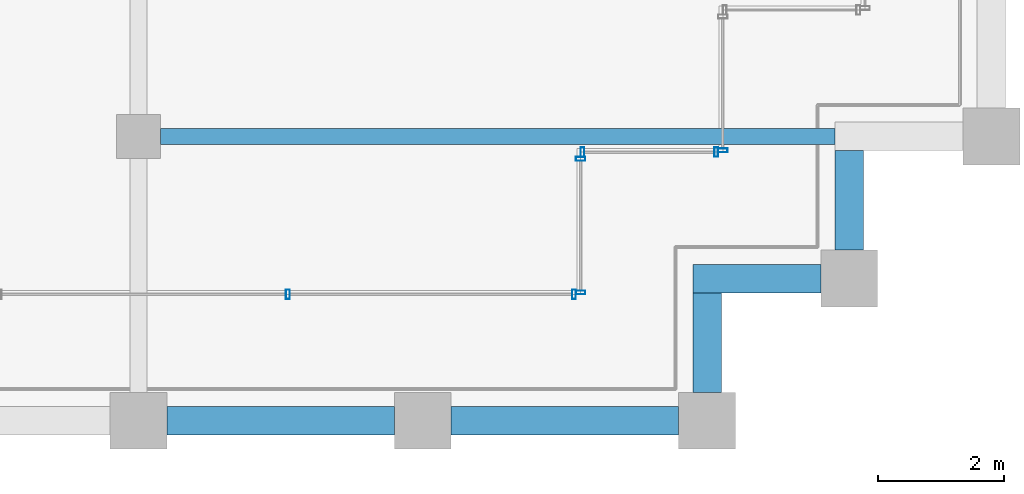
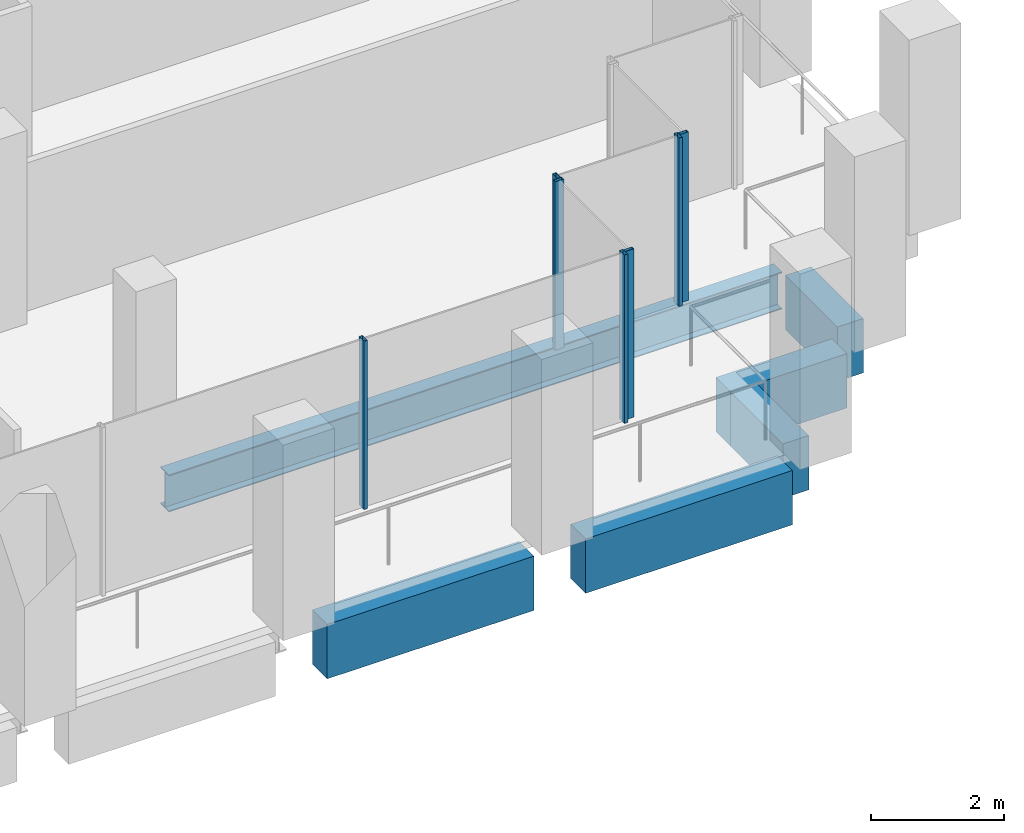
# One storey, part 12 of 40: 7 members, 6 beams, 4 elements without a shape of their own.
"""IFC4 building model written with IfcOpenShell, lengths in metres."""

from ifc_helpers import new_model, si_unit, direction, frame, origin, origin_2d, place, context, subcontext, project, spatial, rectangle, hollow_rectangle, i_section, extrude, material, material_profile, profile_set, type_object, element, aggregate, save


model = new_model("IFC4")

# Units and contexts
model_context = context("Model", 3, precision=1e-05, world=origin(), true_north=direction((0.0, 1.0)))
body_context = subcontext(model_context, "Body", "Model", "MODEL_VIEW")
ifc_project = project(units=[si_unit("LENGTHUNIT", "METRE"), si_unit("AREAUNIT", "SQUARE_METRE"), si_unit("VOLUMEUNIT", "CUBIC_METRE"), si_unit("PLANEANGLEUNIT", "RADIAN"), si_unit("MASSUNIT", "GRAM", prefix="KILO")], contexts=[model_context])

# Site, building, storey
site_placement = place(None, origin())
site = spatial("IfcSite", under=ifc_project, at=site_placement, CompositionType="ELEMENT")
building_placement = place(site_placement, origin())
building = spatial("IfcBuilding", under=site, at=building_placement, Name="Altepetl Exchange Towers", CompositionType="ELEMENT")
storey_placement = place(building_placement, frame((0.0, 0.0, 147.39990234375)))
storey = spatial("IfcBuildingStorey", under=building, at=storey_placement, Name="L36", CompositionType="ELEMENT", Elevation=147.39990234375)

# Beam
ifc_material_1 = material(Name="Steel S355", Category="steel")
ifc_material_profile_1 = material_profile(ifc_material_1, i_section(OverallWidth=0.25390625, OverallDepth=0.68408203125, WebThickness=0.012451171875, FlangeThickness=0.018798828125, at=origin_2d()), Name="W27X94")
ifc_profile_set_1 = profile_set([ifc_material_profile_1], Name="Steel S355")
beam_type_1 = type_object("IfcBeamType", Name="Floor beam W27X94", PredefinedType="BEAM", material=ifc_profile_set_1)
beam_1_placement = place(storey_placement, frame((58.85009765625, 31.5, -0.491943359375), z_axis=(1.0, 0.0, 0.0), x_axis=(0.0, 1.0, 0.0)))
element("IfcBeam", 1, at=beam_1_placement, inside=storey, type_object=beam_type_1, Name="bm:A:L36:006", PredefinedType="BEAM", context=body_context, shape_type="SweptSolid", body=[
    extrude(i_section(OverallWidth=0.25390625, OverallDepth=0.68408203125, WebThickness=0.012451171875, FlangeThickness=0.018798828125, at=origin_2d()), origin(), (0.0, 0.0, 1.0), 10.6748046875),
])

# Curtain wall, members
ifc_material_2 = material(Name="Aluminium 6063-T6 glazing", Category="aluminium")
curtain_wall_type = type_object("IfcCurtainWallType", Name="Loggia glazing system", PredefinedType="NOTDEFINED", material=ifc_material_2)
curtain_wall_1_placement = place(storey_placement, origin())
curtain_wall_1 = element("IfcCurtainWall", 2, at=curtain_wall_1_placement, inside=storey, type_object=curtain_wall_type, Name="CW1 run", PredefinedType="NOTDEFINED")
ifc_material_3 = material(Name="Aluminium 6063-T6", Category="aluminium")
ifc_material_profile_2 = material_profile(ifc_material_3, hollow_rectangle(XDim=0.06005859375, YDim=0.14990234375, WallThickness=0.0029296875, at=origin_2d()), Name="Mullion 60x150 aluminium")
ifc_profile_set_2 = profile_set([ifc_material_profile_2], Name="Aluminium 6063-T6")
member_type = type_object("IfcMemberType", Name="Mullion 60x150 aluminium", PredefinedType="MULLION", material=ifc_profile_set_2)
member_1_placement = place(storey_placement, frame((60.8642578125, 29.0, 0.0)))
member_1 = element("IfcMember", 3, at=member_1_placement, type_object=member_type, Name="MU1 mullion", PredefinedType="MULLION", context=body_context, shape_type="SweptSolid", body=[
    extrude(hollow_rectangle(XDim=0.06005859375, YDim=0.14990234375, WallThickness=0.0029296875, at=origin_2d()), origin(), (0.0, 0.0, 1.0), 3.10009765625),
])
member_2_placement = place(storey_placement, frame((65.39501953125, 29.0, 0.0)))
member_2 = element("IfcMember", 4, at=member_2_placement, type_object=member_type, Name="MU1 mullion", PredefinedType="MULLION", context=body_context, shape_type="SweptSolid", body=[
    extrude(hollow_rectangle(XDim=0.06005859375, YDim=0.14990234375, WallThickness=0.0029296875, at=origin_2d()), origin(), (0.0, 0.0, 1.0), 3.10009765625),
])
aggregate(curtain_wall_1, [member_1, member_2])

curtain_wall_2_placement = place(storey_placement, origin())
curtain_wall_2 = element("IfcCurtainWall", 5, at=curtain_wall_2_placement, inside=storey, type_object=curtain_wall_type, Name="CW1 run", PredefinedType="NOTDEFINED")
member_3_placement = place(storey_placement, frame((65.5, 29.030029296875, 0.0), z_axis=(0.0, 0.0, 1.0), x_axis=(0.0, 1.0, 0.0)))
member_3 = element("IfcMember", 6, at=member_3_placement, type_object=member_type, Name="MU1 mullion", PredefinedType="MULLION", context=body_context, shape_type="SweptSolid", body=[
    extrude(hollow_rectangle(XDim=0.06005859375, YDim=0.14990234375, WallThickness=0.0029296875, at=origin_2d()), origin(), (0.0, 0.0, 1.0), 3.10009765625),
])
member_4_placement = place(storey_placement, frame((65.5, 31.14501953125, 0.0), z_axis=(0.0, 0.0, 1.0), x_axis=(0.0, 1.0, 0.0)))
member_4 = element("IfcMember", 7, at=member_4_placement, type_object=member_type, Name="MU1 mullion", PredefinedType="MULLION", context=body_context, shape_type="SweptSolid", body=[
    extrude(hollow_rectangle(XDim=0.06005859375, YDim=0.14990234375, WallThickness=0.0029296875, at=origin_2d()), origin(), (0.0, 0.0, 1.0), 3.10009765625),
])
aggregate(curtain_wall_2, [member_3, member_4])

curtain_wall_3_placement = place(storey_placement, origin())
curtain_wall_3 = element("IfcCurtainWall", 8, at=curtain_wall_3_placement, inside=storey, type_object=curtain_wall_type, Name="CW1 run", PredefinedType="NOTDEFINED")
member_5_placement = place(storey_placement, frame((65.530029296875, 31.25, 0.0)))
member_5 = element("IfcMember", 9, at=member_5_placement, type_object=member_type, Name="MU1 mullion", PredefinedType="MULLION", context=body_context, shape_type="SweptSolid", body=[
    extrude(hollow_rectangle(XDim=0.06005859375, YDim=0.14990234375, WallThickness=0.0029296875, at=origin_2d()), origin(), (0.0, 0.0, 1.0), 3.10009765625),
])
member_6_placement = place(storey_placement, frame((67.64501953125, 31.25, 0.0)))
member_6 = element("IfcMember", 10, at=member_6_placement, type_object=member_type, Name="MU1 mullion", PredefinedType="MULLION", context=body_context, shape_type="SweptSolid", body=[
    extrude(hollow_rectangle(XDim=0.06005859375, YDim=0.14990234375, WallThickness=0.0029296875, at=origin_2d()), origin(), (0.0, 0.0, 1.0), 3.10009765625),
])
aggregate(curtain_wall_3, [member_5, member_6])

# Curtain wall, member
curtain_wall_4_placement = place(storey_placement, origin())
curtain_wall_4 = element("IfcCurtainWall", 11, at=curtain_wall_4_placement, inside=storey, type_object=curtain_wall_type, Name="CW1 run", PredefinedType="NOTDEFINED")
member_7_placement = place(storey_placement, frame((67.75, 31.280029296875, 0.0), z_axis=(0.0, 0.0, 1.0), x_axis=(0.0, 1.0, 0.0)))
member_7 = element("IfcMember", 12, at=member_7_placement, type_object=member_type, Name="MU1 mullion", PredefinedType="MULLION", context=body_context, shape_type="SweptSolid", body=[
    extrude(hollow_rectangle(XDim=0.06005859375, YDim=0.14990234375, WallThickness=0.0029296875, at=origin_2d()), origin(), (0.0, 0.0, 1.0), 3.10009765625),
])
aggregate(curtain_wall_4, [member_7])

# Beams
ifc_material_4 = material(Name="Concrete C50/60 precast with cantera amarilla facing", Category="concrete")
ifc_material_profile_3 = material_profile(ifc_material_4, rectangle(XDim=0.449951171875, YDim=1.0, at=origin_2d()), Name="450 x 1000")
ifc_profile_set_3 = profile_set([ifc_material_profile_3], Name="Concrete C50/60 precast with cantera amarilla facing")
beam_type_2 = type_object("IfcBeamType", Name="Spandrel beam 450x1000 cantera amarilla", PredefinedType="SPANDREL", material=ifc_profile_set_3)
for number, where, z_axis, x_axis, name in (
    (13, (58.949951171875, 27.0, -0.64990234375), (1.0, 0.0, 0.0), (0.0, 1.0, 0.0), "sp:A:L36:006"),
    (14, (63.449951171875, 27.0, -0.64990234375), (1.0, 0.0, 0.0), (0.0, 1.0, 0.0), "sp:A:L36:007"),
):
    element("IfcBeam", number, at=place(storey_placement, frame(where, z_axis=z_axis, x_axis=x_axis)), inside=storey, type_object=beam_type_2, Name=name, PredefinedType="SPANDREL", context=body_context, shape_type="SweptSolid", body=[
        extrude(rectangle(XDim=0.449951171875, YDim=1.0, at=origin_2d()), origin(), (0.0, 0.0, 1.0), 3.60009765625),
    ])
beam_2_placement = place(storey_placement, frame((67.5, 27.449951171875, -0.64990234375), z_axis=(0.0, 1.0, 0.0), x_axis=(-1.0, 0.0, 0.0)))
element("IfcBeam", 15, at=beam_2_placement, inside=storey, type_object=beam_type_2, Name="sp:A:L36:008", PredefinedType="SPANDREL", context=body_context, shape_type="SweptSolid", body=[
    extrude(rectangle(XDim=0.449951171875, YDim=1.0, at=origin_2d()), origin(), (0.0, 0.0, 1.0), 1.574951171875),
])
beam_3_placement = place(storey_placement, frame((67.27490234375, 29.25, -0.64990234375), z_axis=(1.0, 0.0, 0.0), x_axis=(0.0, 1.0, 0.0)))
element("IfcBeam", 16, at=beam_3_placement, inside=storey, type_object=beam_type_2, Name="sp:A:L36:009", PredefinedType="SPANDREL", context=body_context, shape_type="SweptSolid", body=[
    extrude(rectangle(XDim=0.449951171875, YDim=1.0, at=origin_2d()), origin(), (0.0, 0.0, 1.0), 2.025146484375),
])
beam_4_placement = place(storey_placement, frame((69.75, 29.699951171875, -0.64990234375), z_axis=(0.0, 1.0, 0.0), x_axis=(-1.0, 0.0, 0.0)))
element("IfcBeam", 17, at=beam_4_placement, inside=storey, type_object=beam_type_2, Name="sp:A:L36:010", PredefinedType="SPANDREL", context=body_context, shape_type="SweptSolid", body=[
    extrude(rectangle(XDim=0.449951171875, YDim=1.0, at=origin_2d()), origin(), (0.0, 0.0, 1.0), 1.574951171875),
])

save(model, "model.ifc")
